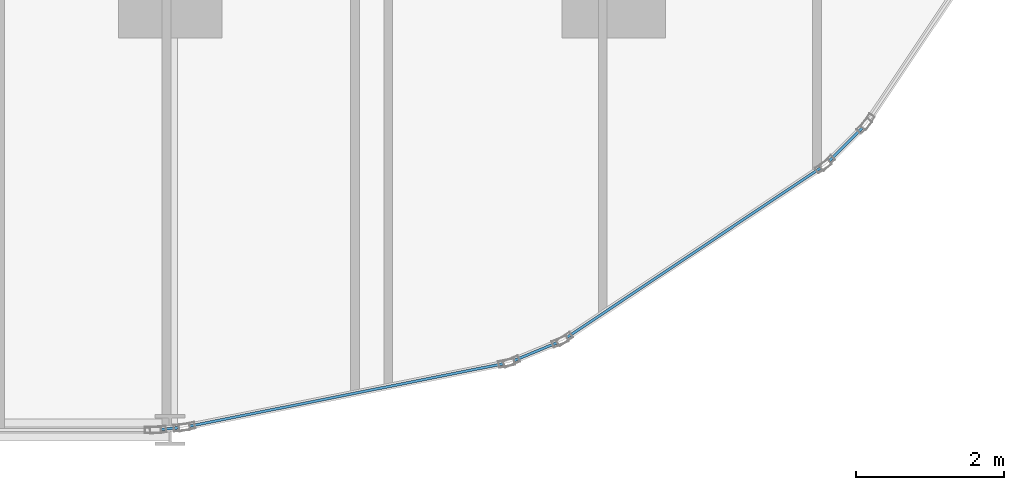
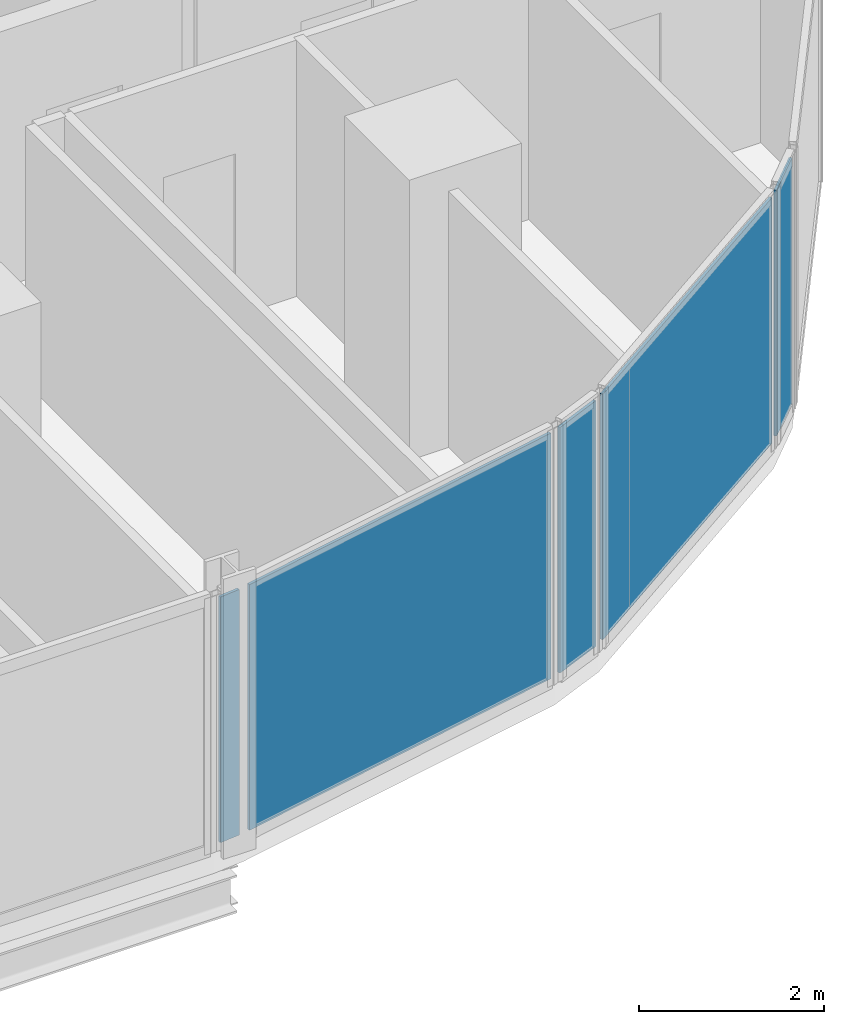
# One storey, part 22 of 33: 5 plates, 5 elements without a shape of their own.
"""IFC4 building model written with IfcOpenShell, lengths in metres."""

from ifc_helpers import new_model, si_unit, direction, frame, origin, origin_2d, place, context, subcontext, project, spatial, rectangle, extrude, material, layer, layer_set, type_object, element, aggregate, save


model = new_model("IFC4")

# Units and contexts
model_context = context("Model", 3, precision=1e-05, world=origin(), true_north=direction((0.0, 1.0)))
body_context = subcontext(model_context, "Body", "Model", "MODEL_VIEW")
ifc_project = project(units=[si_unit("LENGTHUNIT", "METRE"), si_unit("AREAUNIT", "SQUARE_METRE"), si_unit("VOLUMEUNIT", "CUBIC_METRE"), si_unit("PLANEANGLEUNIT", "RADIAN"), si_unit("MASSUNIT", "GRAM", prefix="KILO")], contexts=[model_context])

# Site, building, storey
site_placement = place(None, origin())
site = spatial("IfcSite", under=ifc_project, at=site_placement, CompositionType="ELEMENT")
building_placement = place(site_placement, origin())
building = spatial("IfcBuilding", under=site, at=building_placement, Name="Keshet Zoharim Tower", CompositionType="ELEMENT")
storey_placement = place(building_placement, frame((0.0, 0.0, 27.699951171875)))
storey = spatial("IfcBuildingStorey", under=building, at=storey_placement, Name="L05", CompositionType="ELEMENT", Elevation=27.699951171875)

# Curtain wall, plate
ifc_material_1 = material(Name="Aluminium 6063-T6", Category="aluminium")
ifc_layer_1 = layer(ifc_material_1, 0.179931640625)
ifc_layer_set_1 = layer_set([ifc_layer_1], Name="Aluminium 6063-T6")
curtain_wall_type = type_object("IfcCurtainWallType", Name="CW-SYS-01", PredefinedType="NOTDEFINED", material=ifc_layer_set_1)
curtain_wall_1_placement = place(storey_placement, origin())
curtain_wall_1 = element("IfcCurtainWall", 1, at=curtain_wall_1_placement, inside=storey, type_object=curtain_wall_type, Name="L05 Unitised Curtain Wall 21", PredefinedType="NOTDEFINED")
ifc_material_2 = material(Name="Insulated Low-E Clear Glass", Category="glass")
ifc_layer_2 = layer(ifc_material_2, 0.035888671875)
ifc_layer_set_2 = layer_set([ifc_layer_2], Name="Insulated Low-E Clear Glass")
plate_type = type_object("IfcPlateType", Name="CWP-01", PredefinedType="CURTAIN_PANEL", material=ifc_layer_set_2)
plate_1_placement = place(storey_placement, frame((66.137451171875, 4.5625, 0.070068359375), z_axis=(0.0, 0.0, 1.0), x_axis=(-0.707106781187, -0.707106781187, 0.0)))
plate_1 = element("IfcPlate", 2, at=plate_1_placement, type_object=plate_type, Name="CW-01 panel 1.1", PredefinedType="CURTAIN_PANEL", context=body_context, shape_type="SweptSolid", body=[
    extrude(rectangle(XDim=0.63916015625, YDim=0.035888671875, at=origin_2d()), origin(), (0.0, 0.0, 1.0), 3.2451171875),
])
aggregate(curtain_wall_1, [plate_1])

curtain_wall_2_placement = place(storey_placement, origin())
curtain_wall_2 = element("IfcCurtainWall", 3, at=curtain_wall_2_placement, inside=storey, type_object=curtain_wall_type, Name="L05 Unitised Curtain Wall 22", PredefinedType="NOTDEFINED")
plate_2_placement = place(storey_placement, frame((64.083984375, 3.09912109375, 0.070068359375), z_axis=(0.0, 0.0, 1.0), x_axis=(-0.831474282335, -0.555563243758, 0.0)))
plate_2 = element("IfcPlate", 4, at=plate_2_placement, type_object=plate_type, Name="CW-01 panel 1.1", PredefinedType="CURTAIN_PANEL", context=body_context, shape_type="SweptSolid", body=[
    extrude(rectangle(XDim=4.13671875, YDim=0.035888671875, at=origin_2d()), origin(), (0.0, 0.0, 1.0), 3.2451171875),
])
aggregate(curtain_wall_2, [plate_2])

curtain_wall_3_placement = place(storey_placement, origin())
curtain_wall_3 = element("IfcCurtainWall", 5, at=curtain_wall_3_placement, inside=storey, type_object=curtain_wall_type, Name="L05 Unitised Curtain Wall 23", PredefinedType="NOTDEFINED")
plate_3_placement = place(storey_placement, frame((61.945556640625, 1.761474609375, 0.070068359375), z_axis=(0.0, 0.0, 1.0), x_axis=(-0.923720000557, -0.383068349739, 0.0)))
plate_3 = element("IfcPlate", 6, at=plate_3_placement, type_object=plate_type, Name="CW-01 panel 1.1", PredefinedType="CURTAIN_PANEL", context=body_context, shape_type="SweptSolid", body=[
    extrude(rectangle(XDim=0.640625, YDim=0.035888671875, at=origin_2d()), origin(), (0.0, 0.0, 1.0), 3.2451171875),
])
aggregate(curtain_wall_3, [plate_3])

curtain_wall_4_placement = place(storey_placement, origin())
curtain_wall_4 = element("IfcCurtainWall", 7, at=curtain_wall_4_placement, inside=storey, type_object=curtain_wall_type, Name="L05 Unitised Curtain Wall 24", PredefinedType="NOTDEFINED")
plate_4_placement = place(storey_placement, frame((59.388916015625, 1.175048828125, 0.070068359375), z_axis=(0.0, 0.0, 1.0), x_axis=(-0.98076917357, -0.195171279072, 0.0)))
plate_4 = element("IfcPlate", 8, at=plate_4_placement, type_object=plate_type, Name="CW-01 panel 1.1", PredefinedType="CURTAIN_PANEL", context=body_context, shape_type="SweptSolid", body=[
    extrude(rectangle(XDim=4.338134765625, YDim=0.035888671875, at=origin_2d()), origin(), (0.0, 0.0, 1.0), 3.2451171875),
])
aggregate(curtain_wall_4, [plate_4])

curtain_wall_5_placement = place(storey_placement, origin())
curtain_wall_5 = element("IfcCurtainWall", 9, at=curtain_wall_5_placement, inside=storey, type_object=curtain_wall_type, Name="L05 Unitised Curtain Wall 25", PredefinedType="NOTDEFINED")
plate_5_placement = place(storey_placement, frame((56.998046875, 0.718994140625, 0.070068359375), z_axis=(0.0, 0.0, 1.0), x_axis=(-0.995286657009, -0.096976648633, 0.0)))
plate_5 = element("IfcPlate", 10, at=plate_5_placement, type_object=plate_type, Name="CW-01 panel 1.1", PredefinedType="CURTAIN_PANEL", context=body_context, shape_type="SweptSolid", body=[
    extrude(rectangle(XDim=0.251953125, YDim=0.035888671875, at=origin_2d()), origin(), (0.0, 0.0, 1.0), 3.2451171875),
])
aggregate(curtain_wall_5, [plate_5])

save(model, "model.ifc")
